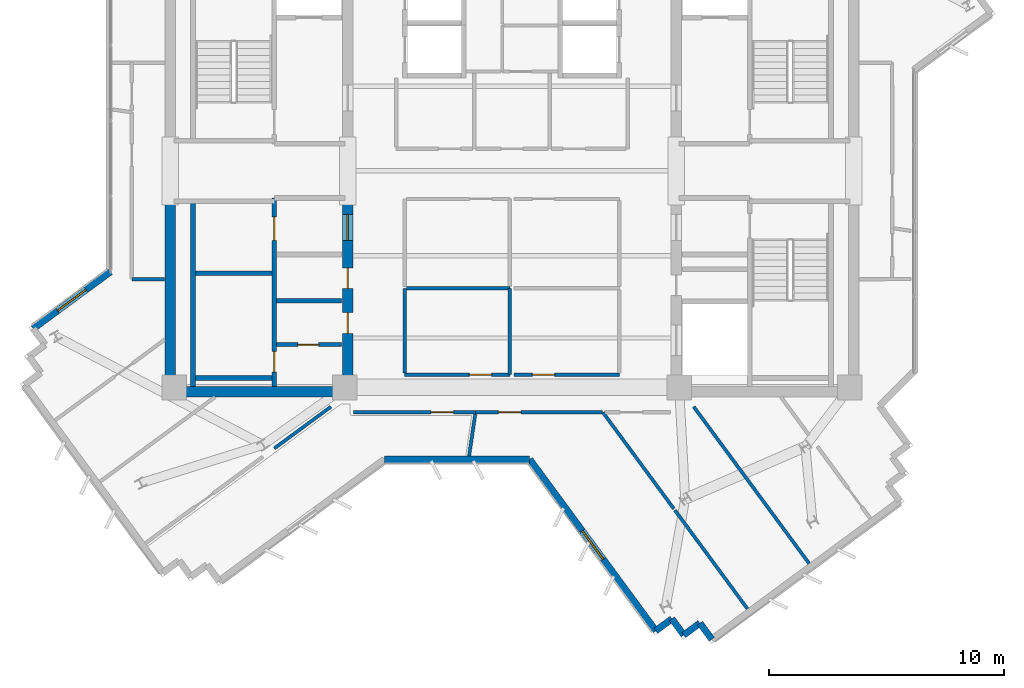
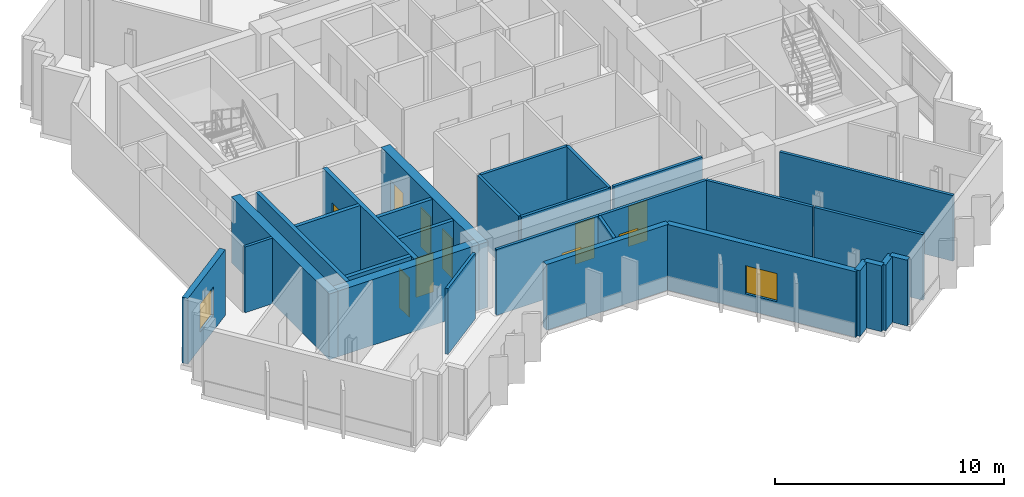
# One storey, part 6 of 13: 29 walls, 10 doors, 2 windows, 12 openings.
"""IFC4 building model written with IfcOpenShell, lengths in metres."""

from ifc_helpers import new_model, si_unit, direction, frame, frame_2d, origin, place, context, subcontext, project, spatial, rectangle, extrude, source, transform, mapped, material, layer, layer_set, type_object, element, fill, save


model = new_model("IFC4")

# Units and contexts
model_context = context("Model", 3, precision=1e-05, world=origin(), true_north=direction((0.0, 1.0)))
body_context = subcontext(model_context, "Body", "Model", "MODEL_VIEW")
ifc_project = project(units=[si_unit("LENGTHUNIT", "METRE"), si_unit("AREAUNIT", "SQUARE_METRE"), si_unit("VOLUMEUNIT", "CUBIC_METRE"), si_unit("PLANEANGLEUNIT", "RADIAN"), si_unit("MASSUNIT", "GRAM", prefix="KILO")], contexts=[model_context])

# Site, building, storey
site_placement = place(None, origin())
site = spatial("IfcSite", under=ifc_project, at=site_placement, CompositionType="ELEMENT")
building_placement = place(site_placement, origin())
building = spatial("IfcBuilding", under=site, at=building_placement, Name="Zahravan Cultural Tower", CompositionType="ELEMENT")
storey_placement = place(building_placement, frame((0.0, 0.0, 276.60009765625)))
storey = spatial("IfcBuildingStorey", under=building, at=storey_placement, Name="L66", CompositionType="ELEMENT", Elevation=276.60009765625)

# Wall, openings, doors
ifc_material_1 = material(Name="Concrete C50/60", Category="concrete")
ifc_layer_1 = layer(ifc_material_1, 0.449951171875)
ifc_layer_set_1 = layer_set([ifc_layer_1], Name="Concrete C50/60")
wall_type_1 = type_object("IfcWallType", Name="CW-SHEAR-450-C50", PredefinedType="SHEAR", material=ifc_layer_set_1)
wall_1_placement = place(storey_placement, frame((29.02490234375, 17.39990234375, 0.0), z_axis=(0.0, 0.0, 1.0), x_axis=(0.0, 1.0, 0.0)))
wall_1 = element("IfcWall", 1, at=wall_1_placement, inside=storey, type_object=wall_type_1, Name="L66 Core Shear Wall CW-W-ES-L66", PredefinedType="SHEAR", context=body_context, shape_type="SweptSolid", body=[
    extrude(rectangle(XDim=8.550048828125, YDim=0.449951171875, at=frame_2d((4.27490234375, 0.0))), origin(), (0.0, 0.0, 1.0), 3.5),
])
opening_1_placement = place(wall_1_placement, frame((6.64990234375, 0.0, 0.0)))
opening_1 = element("IfcOpeningElement", 2, at=opening_1_placement, cuts=wall_1, Name="Opening D-L66-08", PredefinedType="OPENING", context=body_context, shape_type="SweptSolid", body=[
    extrude(rectangle(XDim=1.10009765625, YDim=2.199951171875, at=frame_2d((0.550048828125, 1.10009765625))), frame((0.0, 0.23486328125, 0.0), z_axis=(0.0, -1.0, 0.0), x_axis=(1.0, 0.0, 0.0)), (0.0, 0.0, 1.0), 0.469970703125),
])
opening_2_placement = place(wall_1_placement, frame((2.699951171875, 0.0, 0.0)))
opening_2 = element("IfcOpeningElement", 3, at=opening_2_placement, cuts=wall_1, Name="Opening D-L66-11", PredefinedType="OPENING", context=body_context, shape_type="SweptSolid", body=[
    extrude(rectangle(XDim=0.8798828125, YDim=2.10009765625, at=frame_2d((0.43994140625, 1.050048828125))), frame((0.0, 0.23486328125, 0.0), z_axis=(0.0, -1.0, 0.0), x_axis=(1.0, 0.0, 0.0)), (0.0, 0.0, 1.0), 0.469970703125),
])
opening_3_placement = place(wall_1_placement, frame((4.60009765625, 0.0, 0.0)))
opening_3 = element("IfcOpeningElement", 4, at=opening_3_placement, cuts=wall_1, Name="Opening D-L66-12", PredefinedType="OPENING", context=body_context, shape_type="SweptSolid", body=[
    extrude(rectangle(XDim=0.8798828125, YDim=2.10009765625, at=frame_2d((0.43994140625, 1.050048828125))), frame((0.0, 0.23486328125, 0.0), z_axis=(0.0, -1.0, 0.0), x_axis=(1.0, 0.0, 0.0)), (0.0, 0.0, 1.0), 0.469970703125),
])
ifc_material_2 = material(Name="Steel ASTM A572 Grade 50", Category="steel")
door_type_1 = type_object("IfcDoorType", Name="DR-LOBBY-1100", OperationType="NOTDEFINED", PredefinedType="DOOR", material=ifc_material_2)
shared_shape_1 = source(origin(), body_context, "Body", "SweptSolid", [
    extrude(rectangle(XDim=1.10009765625, YDim=2.199951171875, at=frame_2d((0.550048828125, 1.10009765625))), frame((0.0, 0.02490234375, 0.0), z_axis=(0.0, -1.0, 0.0), x_axis=(1.0, 0.0, 0.0)), (0.0, 0.0, 1.0), 0.050048828125),
])
door_1_placement = place(opening_1_placement, origin())
door_1 = element("IfcDoor", 5, at=door_1_placement, inside=storey, type_object=door_type_1, Name="L66 Door D-L66-08", OperationType="SINGLE_SWING_RIGHT", OverallHeight=2.199951171875, OverallWidth=1.10009765625, PredefinedType="DOOR", context=body_context, shape_type="MappedRepresentation", body=[
    mapped(shared_shape_1, transform((0.0, 0.0, 0.0), x_axis=(1.0, 0.0, 0.0), y_axis=(0.0, 1.0, 0.0), z_axis=(0.0, 0.0, 1.0), scale=1.0)),
])
fill(opening_1, door_1)
door_type_2 = type_object("IfcDoorType", Name="DR-SVC-880", OperationType="NOTDEFINED", PredefinedType="DOOR", material=ifc_material_2)
shared_shape_2 = source(origin(), body_context, "Body", "SweptSolid", [
    extrude(rectangle(XDim=0.8798828125, YDim=2.10009765625, at=frame_2d((0.43994140625, 1.050048828125))), frame((0.0, 0.02490234375, 0.0), z_axis=(0.0, -1.0, 0.0), x_axis=(1.0, 0.0, 0.0)), (0.0, 0.0, 1.0), 0.050048828125),
])
door_2_placement = place(opening_2_placement, origin())
door_2 = element("IfcDoor", 6, at=door_2_placement, inside=storey, type_object=door_type_2, Name="L66 Door D-L66-11", OperationType="SINGLE_SWING_LEFT", OverallHeight=2.10009765625, OverallWidth=0.8798828125, PredefinedType="DOOR", context=body_context, shape_type="MappedRepresentation", body=[
    mapped(shared_shape_2, transform((0.0, 0.0, 0.0), x_axis=(1.0, 0.0, 0.0), y_axis=(0.0, 1.0, 0.0), z_axis=(0.0, 0.0, 1.0), scale=1.0)),
])
fill(opening_2, door_2)
door_3_placement = place(opening_3_placement, origin())
door_3 = element("IfcDoor", 7, at=door_3_placement, inside=storey, type_object=door_type_2, Name="L66 Door D-L66-12", OperationType="SINGLE_SWING_RIGHT", OverallHeight=2.10009765625, OverallWidth=0.8798828125, PredefinedType="DOOR", context=body_context, shape_type="MappedRepresentation", body=[
    mapped(shared_shape_2, transform((0.0, 0.0, 0.0), x_axis=(1.0, 0.0, 0.0), y_axis=(0.0, 1.0, 0.0), z_axis=(0.0, 0.0, 1.0), scale=1.0)),
])
fill(opening_3, door_3)

# Wall, opening, window
ifc_material_3 = material(Name="Precast concrete C40/50", Category="concrete")
ifc_layer_2 = layer(ifc_material_3, 0.280029296875)
ifc_layer_set_2 = layer_set([ifc_layer_2], Name="Precast concrete C40/50")
wall_type_2 = type_object("IfcWallType", Name="EW-TC-280", PredefinedType="SOLIDWALL", material=ifc_layer_set_2)
wall_2_placement = place(storey_placement, frame((42.111083984375, 7.459716796875, 0.0), z_axis=(0.0, 0.0, 1.0), x_axis=(-0.592715239748, 0.805412096117, 0.0)))
wall_2 = element("IfcWall", 8, at=wall_2_placement, inside=storey, type_object=wall_type_2, Name="L66 Exterior Masonry Frame Wall 23", PredefinedType="SOLIDWALL", context=body_context, shape_type="SweptSolid", body=[
    extrude(rectangle(XDim=9.039306640625, YDim=0.280029296875, at=frame_2d((4.51953125, 0.0))), origin(), (0.0, 0.0, 1.0), 3.5),
])
opening_4_placement = place(wall_2_placement, frame((3.77001953125, 0.0, 0.85009765625)))
opening_4 = element("IfcOpeningElement", 9, at=opening_4_placement, cuts=wall_2, Name="Opening WN-03", PredefinedType="OPENING", context=body_context, shape_type="SweptSolid", body=[
    extrude(rectangle(XDim=1.5, YDim=1.5, at=frame_2d((0.75, 0.75))), frame((0.0, 0.14990234375, 0.0), z_axis=(0.0, -1.0, 0.0), x_axis=(1.0, 0.0, 0.0)), (0.0, 0.0, 1.0), 0.300048828125),
])
ifc_material_4 = material(Name="Low-E solar-control double glazing", Category="glass")
window_type = type_object("IfcWindowType", Name="WN-REC-1500X1500", PartitioningType="SINGLE_PANEL", PredefinedType="WINDOW", material=ifc_material_4)
shared_shape_3 = source(origin(), body_context, "Body", "SweptSolid", [
    extrude(rectangle(XDim=1.5, YDim=1.5, at=frame_2d((0.75, 0.75))), frame((0.0, 0.030029296875, 0.0), z_axis=(0.0, -1.0, 0.0), x_axis=(1.0, 0.0, 0.0)), (0.0, 0.0, 1.0), 0.06005859375),
])
window_1_placement = place(opening_4_placement, origin())
window_1 = element("IfcWindow", 10, at=window_1_placement, inside=storey, type_object=window_type, Name="L66 Recessed Solar Window 03", OverallHeight=1.5, OverallWidth=1.5, PartitioningType="SINGLE_PANEL", PredefinedType="WINDOW", context=body_context, shape_type="MappedRepresentation", body=[
    mapped(shared_shape_3, transform((0.0, 0.0, 0.0), x_axis=(1.0, 0.0, 0.0), y_axis=(0.0, 1.0, 0.0), z_axis=(0.0, 0.0, 1.0), scale=1.0)),
])
fill(opening_4, window_1)

wall_3_placement = place(storey_placement, frame((15.654296875, 20.29638671875, 0.0), z_axis=(0.0, 0.0, 1.0), x_axis=(0.805410687764, 0.592717153486, 0.0)))
wall_3 = element("IfcWall", 11, at=wall_3_placement, inside=storey, type_object=wall_type_2, Name="L66 Exterior Masonry Frame Wall 35", PredefinedType="SOLIDWALL", context=body_context, shape_type="SweptSolid", body=[
    extrude(rectangle(XDim=4.079345703125, YDim=0.280029296875, at=frame_2d((2.03955078125, 0.0))), origin(), (0.0, 0.0, 1.0), 3.5),
])
opening_5_placement = place(wall_3_placement, frame((1.2900390625, 0.0, 0.85009765625)))
opening_5 = element("IfcOpeningElement", 12, at=opening_5_placement, cuts=wall_3, Name="Opening WN-03", PredefinedType="OPENING", context=body_context, shape_type="SweptSolid", body=[
    extrude(rectangle(XDim=1.5, YDim=1.5, at=frame_2d((0.75, 0.75))), frame((0.0, 0.14990234375, 0.0), z_axis=(0.0, -1.0, 0.0), x_axis=(1.0, 0.0, 0.0)), (0.0, 0.0, 1.0), 0.300048828125),
])
window_2_placement = place(opening_5_placement, origin())
window_2 = element("IfcWindow", 13, at=window_2_placement, inside=storey, type_object=window_type, Name="L66 Recessed Solar Window 05", OverallHeight=1.5, OverallWidth=1.5, PartitioningType="SINGLE_PANEL", PredefinedType="WINDOW", context=body_context, shape_type="MappedRepresentation", body=[
    mapped(shared_shape_3, transform((0.0, 0.0, 0.0), x_axis=(1.0, 0.0, 0.0), y_axis=(0.0, 1.0, 0.0), z_axis=(0.0, 0.0, 1.0), scale=1.0)),
])
fill(opening_5, window_2)

# Wall, opening, door
ifc_material_5 = material(Name="Gypsum plasterboard partition")
ifc_layer_3 = layer(ifc_material_5, 0.179931640625)
ifc_layer_set_3 = layer_set([ifc_layer_3], Name="Gypsum plasterboard partition")
wall_type_3 = type_object("IfcWallType", Name="W-COMP-180", PredefinedType="PARTITIONING", material=ifc_layer_set_3)
wall_4_placement = place(storey_placement, frame((26.0, 19.6201171875, 0.0), z_axis=(0.0, 0.0, 1.0), x_axis=(1.0, 0.0, 0.0)))
wall_4 = element("IfcWall", 14, at=wall_4_placement, inside=storey, type_object=wall_type_3, Name="L66 Interior Wall 027", PredefinedType="PARTITIONING", context=body_context, shape_type="SweptSolid", body=[
    extrude(rectangle(XDim=2.75, YDim=0.179931640625, at=frame_2d((1.375, 0.0))), origin(), (0.0, 0.0, 1.0), 3.5),
])
opening_6_placement = place(wall_4_placement, frame((0.89990234375, 0.0, 0.0)))
opening_6 = element("IfcOpeningElement", 15, at=opening_6_placement, cuts=wall_4, Name="Opening D-L66-10", PredefinedType="OPENING", context=body_context, shape_type="SweptSolid", body=[
    extrude(rectangle(XDim=0.8798828125, YDim=2.10009765625, at=frame_2d((0.43994140625, 1.050048828125))), frame((0.0, 0.099853515625, 0.0), z_axis=(0.0, -1.0, 0.0), x_axis=(1.0, 0.0, 0.0)), (0.0, 0.0, 1.0), 0.199951171875),
])
door_4_placement = place(opening_6_placement, origin())
door_4 = element("IfcDoor", 16, at=door_4_placement, inside=storey, type_object=door_type_2, Name="L66 Door D-L66-10", OperationType="SINGLE_SWING_RIGHT", OverallHeight=2.10009765625, OverallWidth=0.8798828125, PredefinedType="DOOR", context=body_context, shape_type="MappedRepresentation", body=[
    mapped(shared_shape_2, transform((0.0, 0.0, 0.0), x_axis=(1.0, 0.0, 0.0), y_axis=(0.0, 1.0, 0.0), z_axis=(0.0, 0.0, 1.0), scale=1.0)),
])
fill(opening_6, door_4)

ifc_layer_4 = layer(ifc_material_5, 0.139892578125)
ifc_layer_set_4 = layer_set([ifc_layer_4], Name="Gypsum plasterboard partition")
wall_type_4 = type_object("IfcWallType", Name="W-PART-140", PredefinedType="PARTITIONING", material=ifc_layer_set_4)
wall_5_placement = place(storey_placement, frame((35.909912109375, 18.340087890625, 0.0), z_axis=(0.0, 0.0, 1.0), x_axis=(-1.0, 0.0, 0.0)))
wall_5 = element("IfcWall", 17, at=wall_5_placement, inside=storey, type_object=wall_type_4, Name="L66 Interior Wall 058", PredefinedType="PARTITIONING", context=body_context, shape_type="SweptSolid", body=[
    extrude(rectangle(XDim=4.469970703125, YDim=0.139892578125, at=frame_2d((2.23486328125, 0.0))), origin(), (0.0, 0.0, 1.0), 3.5),
])
opening_7_placement = place(wall_5_placement, frame((0.7744140625, 0.0, 0.0)))
opening_7 = element("IfcOpeningElement", 18, at=opening_7_placement, cuts=wall_5, Name="Opening D-L66-14", PredefinedType="OPENING", context=body_context, shape_type="SweptSolid", body=[
    extrude(rectangle(XDim=0.949951171875, YDim=2.14990234375, at=frame_2d((0.47509765625, 1.074951171875))), frame((0.0, 0.079833984375, 0.0), z_axis=(0.0, -1.0, 0.0), x_axis=(1.0, 0.0, 0.0)), (0.0, 0.0, 1.0), 0.159912109375),
])
ifc_material_6 = material(Name="Anodised bronze-aluminium mullion", Category="aluminium")
door_type_3 = type_object("IfcDoorType", Name="DR-ROOM-950", OperationType="NOTDEFINED", PredefinedType="DOOR", material=ifc_material_6)
shared_shape_4 = source(origin(), body_context, "Body", "SweptSolid", [
    extrude(rectangle(XDim=0.949951171875, YDim=2.14990234375, at=frame_2d((0.47509765625, 1.074951171875))), frame((0.0, 0.02490234375, 0.0), z_axis=(0.0, -1.0, 0.0), x_axis=(1.0, 0.0, 0.0)), (0.0, 0.0, 1.0), 0.050048828125),
])
door_5_placement = place(opening_7_placement, origin())
door_5 = element("IfcDoor", 19, at=door_5_placement, inside=storey, type_object=door_type_3, Name="L66 Door D-L66-14", OperationType="SINGLE_SWING_RIGHT", OverallHeight=2.14990234375, OverallWidth=0.949951171875, PredefinedType="DOOR", context=body_context, shape_type="MappedRepresentation", body=[
    mapped(shared_shape_4, transform((0.0, 0.0, 0.0), x_axis=(1.0, 0.0, 0.0), y_axis=(0.0, 1.0, 0.0), z_axis=(0.0, 0.0, 1.0), scale=1.0)),
])
fill(opening_7, door_5)

wall_6_placement = place(storey_placement, frame((40.56005859375, 18.340087890625, 0.0), z_axis=(0.0, 0.0, 1.0), x_axis=(-1.0, 0.0, 0.0)))
wall_6 = element("IfcWall", 20, at=wall_6_placement, inside=storey, type_object=wall_type_4, Name="L66 Interior Wall 062", PredefinedType="PARTITIONING", context=body_context, shape_type="SweptSolid", body=[
    extrude(rectangle(XDim=4.469970703125, YDim=0.139892578125, at=frame_2d((2.23486328125, 0.0))), origin(), (0.0, 0.0, 1.0), 3.5),
])
opening_8_placement = place(wall_6_placement, frame((2.74560546875, 0.0, 0.0)))
opening_8 = element("IfcOpeningElement", 21, at=opening_8_placement, cuts=wall_6, Name="Opening D-L66-16", PredefinedType="OPENING", context=body_context, shape_type="SweptSolid", body=[
    extrude(rectangle(XDim=0.949951171875, YDim=2.14990234375, at=frame_2d((0.47509765625, 1.074951171875))), frame((0.0, 0.079833984375, 0.0), z_axis=(0.0, -1.0, 0.0), x_axis=(1.0, 0.0, 0.0)), (0.0, 0.0, 1.0), 0.159912109375),
])
door_6_placement = place(opening_8_placement, origin())
door_6 = element("IfcDoor", 22, at=door_6_placement, inside=storey, type_object=door_type_3, Name="L66 Door D-L66-16", OperationType="SINGLE_SWING_RIGHT", OverallHeight=2.14990234375, OverallWidth=0.949951171875, PredefinedType="DOOR", context=body_context, shape_type="MappedRepresentation", body=[
    mapped(shared_shape_4, transform((0.0, 0.0, 0.0), x_axis=(1.0, 0.0, 0.0), y_axis=(0.0, 1.0, 0.0), z_axis=(0.0, 0.0, 1.0), scale=1.0)),
])
fill(opening_8, door_6)

wall_7_placement = place(storey_placement, frame((29.257568359375, 16.740234375, 0.0), z_axis=(0.0, 0.0, 1.0), x_axis=(0.999999998895, -4.7021207e-05, 0.0)))
wall_7 = element("IfcWall", 23, at=wall_7_placement, inside=storey, type_object=wall_type_4, Name="L66 Interior Wall 088", PredefinedType="PARTITIONING", context=body_context, shape_type="SweptSolid", body=[
    extrude(rectangle(XDim=5.192138671875, YDim=0.139892578125, at=frame_2d((2.59619140625, 0.0))), origin(), (0.0, 0.0, 1.0), 3.5),
])
opening_9_placement = place(wall_7_placement, frame((3.308837890625, 0.0, 0.0)))
opening_9 = element("IfcOpeningElement", 24, at=opening_9_placement, cuts=wall_7, Name="Opening D-L66-28", PredefinedType="OPENING", context=body_context, shape_type="SweptSolid", body=[
    extrude(rectangle(XDim=0.949951171875, YDim=2.14990234375, at=frame_2d((0.47509765625, 1.074951171875))), frame((0.0, 0.079833984375, 0.0), z_axis=(0.0, -1.0, 0.0), x_axis=(1.0, 0.0, 0.0)), (0.0, 0.0, 1.0), 0.159912109375),
])
door_7_placement = place(opening_9_placement, origin())
door_7 = element("IfcDoor", 25, at=door_7_placement, inside=storey, type_object=door_type_3, Name="L66 Door D-L66-28", OperationType="SINGLE_SWING_RIGHT", OverallHeight=2.14990234375, OverallWidth=0.949951171875, PredefinedType="DOOR", context=body_context, shape_type="MappedRepresentation", body=[
    mapped(shared_shape_4, transform((0.0, 0.0, 0.0), x_axis=(1.0, 0.0, 0.0), y_axis=(0.0, 1.0, 0.0), z_axis=(0.0, 0.0, 1.0), scale=1.0)),
])
fill(opening_9, door_7)

wall_8_placement = place(storey_placement, frame((34.44970703125, 16.739990234375, 0.0), z_axis=(0.0, 0.0, 1.0), x_axis=(1.0, 0.0, 0.0)))
wall_8 = element("IfcWall", 26, at=wall_8_placement, inside=storey, type_object=wall_type_4, Name="L66 Interior Wall 090", PredefinedType="PARTITIONING", context=body_context, shape_type="SweptSolid", body=[
    extrude(rectangle(XDim=5.388427734375, YDim=0.139892578125, at=frame_2d((2.6943359375, 0.0))), origin(), (0.0, 0.0, 1.0), 3.5),
])
opening_10_placement = place(wall_8_placement, frame((0.976318359375, 0.0, 0.0)))
opening_10 = element("IfcOpeningElement", 27, at=opening_10_placement, cuts=wall_8, Name="Opening D-L66-29", PredefinedType="OPENING", context=body_context, shape_type="SweptSolid", body=[
    extrude(rectangle(XDim=0.949951171875, YDim=2.14990234375, at=frame_2d((0.47509765625, 1.074951171875))), frame((0.0, 0.079833984375, 0.0), z_axis=(0.0, -1.0, 0.0), x_axis=(1.0, 0.0, 0.0)), (0.0, 0.0, 1.0), 0.159912109375),
])
door_8_placement = place(opening_10_placement, origin())
door_8 = element("IfcDoor", 28, at=door_8_placement, inside=storey, type_object=door_type_3, Name="L66 Door D-L66-29", OperationType="SINGLE_SWING_LEFT", OverallHeight=2.14990234375, OverallWidth=0.949951171875, PredefinedType="DOOR", context=body_context, shape_type="MappedRepresentation", body=[
    mapped(shared_shape_4, transform((0.0, 0.0, 0.0), x_axis=(1.0, 0.0, 0.0), y_axis=(0.0, 1.0, 0.0), z_axis=(0.0, 0.0, 1.0), scale=1.0)),
])
fill(opening_10, door_8)

# Wall, openings, doors
ifc_material_7 = material(Name="Concrete C45/55", Category="concrete")
ifc_layer_5 = layer(ifc_material_7, 0.199951171875)
ifc_layer_set_5 = layer_set([ifc_layer_5], Name="Concrete C45/55")
wall_type_5 = type_object("IfcWallType", Name="W-SHAFT-200", PredefinedType="SOLIDWALL", material=ifc_layer_set_5)
wall_9_placement = place(storey_placement, frame((25.89990234375, 17.85009765625, 0.0), z_axis=(0.0, 0.0, 1.0), x_axis=(0.0, 1.0, 0.0)))
wall_9 = element("IfcWall", 29, at=wall_9_placement, inside=storey, type_object=wall_type_5, Name="L66 Interior Wall 005", PredefinedType="SOLIDWALL", context=body_context, shape_type="SweptSolid", body=[
    extrude(rectangle(XDim=8.0, YDim=0.199951171875, at=frame_2d((4.0, 0.0))), origin(), (0.0, 0.0, 1.0), 3.5),
])
opening_11_placement = place(wall_9_placement, frame((6.199951171875, 0.0, 0.0)))
opening_11 = element("IfcOpeningElement", 30, at=opening_11_placement, cuts=wall_9, Name="Opening D-L66-04", PredefinedType="OPENING", context=body_context, shape_type="SweptSolid", body=[
    extrude(rectangle(XDim=1.0, YDim=2.14990234375, at=frame_2d((0.5, 1.074951171875))), frame((0.0, 0.10986328125, 0.0), z_axis=(0.0, -1.0, 0.0), x_axis=(1.0, 0.0, 0.0)), (0.0, 0.0, 1.0), 0.219970703125),
])
opening_12_placement = place(wall_9_placement, frame((0.60009765625, 0.0, 0.0)))
opening_12 = element("IfcOpeningElement", 31, at=opening_12_placement, cuts=wall_9, Name="Opening D-L66-05", PredefinedType="OPENING", context=body_context, shape_type="SweptSolid", body=[
    extrude(rectangle(XDim=0.8798828125, YDim=2.10009765625, at=frame_2d((0.43994140625, 1.050048828125))), frame((0.0, 0.10986328125, 0.0), z_axis=(0.0, -1.0, 0.0), x_axis=(1.0, 0.0, 0.0)), (0.0, 0.0, 1.0), 0.219970703125),
])
door_9_placement = place(opening_12_placement, origin())
door_9 = element("IfcDoor", 32, at=door_9_placement, inside=storey, type_object=door_type_2, Name="L66 Door D-L66-05", OperationType="SINGLE_SWING_LEFT", OverallHeight=2.10009765625, OverallWidth=0.8798828125, PredefinedType="DOOR", context=body_context, shape_type="MappedRepresentation", body=[
    mapped(shared_shape_2, transform((0.0, 0.0, 0.0), x_axis=(1.0, 0.0, 0.0), y_axis=(0.0, 1.0, 0.0), z_axis=(0.0, 0.0, 1.0), scale=1.0)),
])
fill(opening_12, door_9)
door_type_4 = type_object("IfcDoorType", Name="DR-COMP-1000", OperationType="NOTDEFINED", PredefinedType="DOOR", material=ifc_material_2)
shared_shape_5 = source(origin(), body_context, "Body", "SweptSolid", [
    extrude(rectangle(XDim=1.0, YDim=2.14990234375, at=frame_2d((0.5, 1.074951171875))), frame((0.0, 0.02490234375, 0.0), z_axis=(0.0, -1.0, 0.0), x_axis=(1.0, 0.0, 0.0)), (0.0, 0.0, 1.0), 0.050048828125),
])
door_10_placement = place(opening_11_placement, origin())
door_10 = element("IfcDoor", 33, at=door_10_placement, inside=storey, type_object=door_type_4, Name="L66 Door D-L66-04", OperationType="SINGLE_SWING_RIGHT", OverallHeight=2.14990234375, OverallWidth=1.0, PredefinedType="DOOR", context=body_context, shape_type="MappedRepresentation", body=[
    mapped(shared_shape_5, transform((0.0, 0.0, 0.0), x_axis=(1.0, 0.0, 0.0), y_axis=(0.0, 1.0, 0.0), z_axis=(0.0, 0.0, 1.0), scale=1.0)),
])
fill(opening_11, door_10)

# Walls
shared_shape_6 = source(origin(), body_context, "Body", "SweptSolid", [
    extrude(rectangle(XDim=8.550048828125, YDim=0.449951171875, at=frame_2d((4.27490234375, 0.0))), origin(), (0.0, 0.0, 1.0), 3.5),
])
wall_10_placement = place(storey_placement, frame((21.47509765625, 17.39990234375, 0.0), z_axis=(0.0, 0.0, 1.0), x_axis=(0.0, 1.0, 0.0)))
element("IfcWall", 34, at=wall_10_placement, inside=storey, type_object=wall_type_1, Name="L66 Core Shear Wall CW-W-WS-L66", PredefinedType="SHEAR", context=body_context, shape_type="MappedRepresentation", body=[
    mapped(shared_shape_6, transform((0.0, 0.0, 0.0), x_axis=(1.0, 0.0, 0.0), y_axis=(0.0, 1.0, 0.0), z_axis=(0.0, 0.0, 1.0), scale=1.0)),
])
shared_shape_7 = source(origin(), body_context, "Body", "SweptSolid", [
    extrude(rectangle(XDim=7.10009765625, YDim=0.449951171875, at=frame_2d((3.550048828125, 0.0))), origin(), (0.0, 0.0, 1.0), 3.5),
])
wall_11_placement = place(storey_placement, frame((21.699951171875, 17.625, 0.0), z_axis=(0.0, 0.0, 1.0), x_axis=(1.0, 0.0, 0.0)))
element("IfcWall", 35, at=wall_11_placement, inside=storey, type_object=wall_type_1, Name="L66 Core Shear Wall CW-W-S-L66", PredefinedType="SHEAR", context=body_context, shape_type="MappedRepresentation", body=[
    mapped(shared_shape_7, transform((0.0, 0.0, 0.0), x_axis=(1.0, 0.0, 0.0), y_axis=(0.0, 1.0, 0.0), z_axis=(0.0, 0.0, 1.0), scale=1.0)),
])
shared_shape_8 = source(origin(), body_context, "Body", "SweptSolid", [
    extrude(rectangle(XDim=0.85009765625, YDim=0.280029296875, at=frame_2d((0.425048828125, 0.0))), origin(), (0.0, 0.0, 1.0), 3.5),
])
for number, where, z_axis, x_axis, name in (
    (36, (44.48779296875, 7.09814453125, 0.0), (0.0, 0.0, 1.0), (-0.592807079659, 0.80534450163, 0.0), "L66 Exterior Masonry Frame Wall 19"),
    (37, (43.98388671875, 7.78271484375, 0.0), (0.0, 0.0, 1.0), (-0.80534450163, -0.592807079659, 0.0), "L66 Exterior Masonry Frame Wall 20"),
):
    element("IfcWall", number, at=place(storey_placement, frame(where, z_axis=z_axis, x_axis=x_axis)), inside=storey, type_object=wall_type_2, Name=name, PredefinedType="SOLIDWALL", context=body_context, shape_type="MappedRepresentation", body=[
        mapped(shared_shape_8, transform((0.0, 0.0, 0.0), x_axis=(1.0, 0.0, 0.0), y_axis=(0.0, 1.0, 0.0), z_axis=(0.0, 0.0, 1.0), scale=1.0)),
    ])
shared_shape_9 = source(origin(), body_context, "Body", "SweptSolid", [
    extrude(rectangle(XDim=0.849853515625, YDim=0.280029296875, at=frame_2d((0.4248046875, 0.0))), origin(), (0.0, 0.0, 1.0), 3.5),
])
for number, where, z_axis, x_axis, name in (
    (38, (43.29931640625, 7.27880859375, 0.0), (0.0, 0.0, 1.0), (-0.592620751712, 0.805481622783, 0.0), "L66 Exterior Masonry Frame Wall 21"),
    (39, (42.795654296875, 7.96337890625, 0.0), (0.0, 0.0, 1.0), (-0.805481622783, -0.592620751712, 0.0), "L66 Exterior Masonry Frame Wall 22"),
):
    element("IfcWall", number, at=place(storey_placement, frame(where, z_axis=z_axis, x_axis=x_axis)), inside=storey, type_object=wall_type_2, Name=name, PredefinedType="SOLIDWALL", context=body_context, shape_type="MappedRepresentation", body=[
        mapped(shared_shape_9, transform((0.0, 0.0, 0.0), x_axis=(1.0, 0.0, 0.0), y_axis=(0.0, 1.0, 0.0), z_axis=(0.0, 0.0, 1.0), scale=1.0)),
    ])
shared_shape_10 = source(origin(), body_context, "Body", "SweptSolid", [
    extrude(rectangle(XDim=6.176513671875, YDim=0.280029296875, at=frame_2d((3.08837890625, 0.0))), origin(), (0.0, 0.0, 1.0), 3.5),
])
wall_12_placement = place(storey_placement, frame((36.75341796875, 14.739990234375, 0.0), z_axis=(0.0, 0.0, 1.0), x_axis=(-1.0, 0.0, 0.0)))
element("IfcWall", 40, at=wall_12_placement, inside=storey, type_object=wall_type_2, Name="L66 Exterior Masonry Frame Wall 24", PredefinedType="SOLIDWALL", context=body_context, shape_type="MappedRepresentation", body=[
    mapped(shared_shape_10, transform((0.0, 0.0, 0.0), x_axis=(1.0, 0.0, 0.0), y_axis=(0.0, 1.0, 0.0), z_axis=(0.0, 0.0, 1.0), scale=1.0)),
])
shared_shape_11 = source(origin(), body_context, "Body", "SweptSolid", [
    extrude(rectangle(XDim=7.869873046875, YDim=0.199951171875, at=frame_2d((3.93505859375, 0.0))), origin(), (0.0, 0.0, 1.0), 3.5),
])
wall_13_placement = place(storey_placement, frame((22.449951171875, 17.85009765625, 0.0), z_axis=(0.0, 0.0, 1.0), x_axis=(0.0, 1.0, 0.0)))
element("IfcWall", 41, at=wall_13_placement, inside=storey, type_object=wall_type_5, Name="L66 Interior Wall 001", PredefinedType="SOLIDWALL", context=body_context, shape_type="MappedRepresentation", body=[
    mapped(shared_shape_11, transform((0.0, 0.0, 0.0), x_axis=(1.0, 0.0, 0.0), y_axis=(0.0, 1.0, 0.0), z_axis=(0.0, 0.0, 1.0), scale=1.0)),
])
shared_shape_12 = source(origin(), body_context, "Body", "SweptSolid", [
    extrude(rectangle(XDim=3.25, YDim=0.199951171875, at=frame_2d((1.625, 0.0))), origin(), (0.0, 0.0, 1.0), 3.5),
])
wall_14_placement = place(storey_placement, frame((22.550048828125, 18.199951171875, 0.0), z_axis=(0.0, 0.0, 1.0), x_axis=(1.0, 0.0, 0.0)))
element("IfcWall", 42, at=wall_14_placement, inside=storey, type_object=wall_type_5, Name="L66 Interior Wall 019", PredefinedType="SOLIDWALL", context=body_context, shape_type="MappedRepresentation", body=[
    mapped(shared_shape_12, transform((0.0, 0.0, 0.0), x_axis=(1.0, 0.0, 0.0), y_axis=(0.0, 1.0, 0.0), z_axis=(0.0, 0.0, 1.0), scale=1.0)),
])
shared_shape_13 = source(origin(), body_context, "Body", "SweptSolid", [
    extrude(rectangle(XDim=3.25, YDim=0.179931640625, at=frame_2d((1.625, 0.0))), origin(), (0.0, 0.0, 1.0), 3.5),
])
wall_15_placement = place(storey_placement, frame((22.550048828125, 22.64990234375, 0.0), z_axis=(0.0, 0.0, 1.0), x_axis=(1.0, 0.0, 0.0)))
element("IfcWall", 43, at=wall_15_placement, inside=storey, type_object=wall_type_3, Name="L66 Interior Wall 021", PredefinedType="PARTITIONING", context=body_context, shape_type="MappedRepresentation", body=[
    mapped(shared_shape_13, transform((0.0, 0.0, 0.0), x_axis=(1.0, 0.0, 0.0), y_axis=(0.0, 1.0, 0.0), z_axis=(0.0, 0.0, 1.0), scale=1.0)),
])
shared_shape_14 = source(origin(), body_context, "Body", "SweptSolid", [
    extrude(rectangle(XDim=2.75, YDim=0.179931640625, at=frame_2d((1.375, 0.0))), origin(), (0.0, 0.0, 1.0), 3.5),
])
wall_16_placement = place(storey_placement, frame((26.0, 21.47998046875, 0.0), z_axis=(0.0, 0.0, 1.0), x_axis=(1.0, 0.0, 0.0)))
element("IfcWall", 44, at=wall_16_placement, inside=storey, type_object=wall_type_3, Name="L66 Interior Wall 028", PredefinedType="PARTITIONING", context=body_context, shape_type="MappedRepresentation", body=[
    mapped(shared_shape_14, transform((0.0, 0.0, 0.0), x_axis=(1.0, 0.0, 0.0), y_axis=(0.0, 1.0, 0.0), z_axis=(0.0, 0.0, 1.0), scale=1.0)),
])
shared_shape_15 = source(origin(), body_context, "Body", "SweptSolid", [
    extrude(rectangle(XDim=1.38916015625, YDim=0.139892578125, at=frame_2d((0.694580078125, 0.0))), origin(), (0.0, 0.0, 1.0), 3.5),
])
wall_17_placement = place(storey_placement, frame((19.85595703125, 22.39990234375, 0.0), z_axis=(0.0, 0.0, 1.0), x_axis=(1.0, 0.0, 0.0)))
element("IfcWall", 45, at=wall_17_placement, inside=storey, type_object=wall_type_4, Name="L66 Interior Wall 082", PredefinedType="PARTITIONING", context=body_context, shape_type="MappedRepresentation", body=[
    mapped(shared_shape_15, transform((0.0, 0.0, 0.0), x_axis=(1.0, 0.0, 0.0), y_axis=(0.0, 1.0, 0.0), z_axis=(0.0, 0.0, 1.0), scale=1.0)),
])
shared_shape_16 = source(origin(), body_context, "Body", "SweptSolid", [
    extrude(rectangle(XDim=3.594970703125, YDim=0.139892578125, at=frame_2d((1.79736328125, 0.0))), origin(), (0.0, 0.0, 1.0), 3.5),
])
wall_18_placement = place(storey_placement, frame((31.43994140625, 18.4150390625, 0.0), z_axis=(0.0, 0.0, 1.0), x_axis=(0.0, 1.0, 0.0)))
element("IfcWall", 46, at=wall_18_placement, inside=storey, type_object=wall_type_4, Name="L66 Interior Wall 059", PredefinedType="PARTITIONING", context=body_context, shape_type="MappedRepresentation", body=[
    mapped(shared_shape_16, transform((0.0, 0.0, 0.0), x_axis=(1.0, 0.0, 0.0), y_axis=(0.0, 1.0, 0.0), z_axis=(0.0, 0.0, 1.0), scale=1.0)),
])
shared_shape_17 = source(origin(), body_context, "Body", "SweptSolid", [
    extrude(rectangle(XDim=4.39501953125, YDim=0.139892578125, at=frame_2d((2.197509765625, 0.0))), origin(), (0.0, 0.0, 1.0), 3.5),
])
wall_19_placement = place(storey_placement, frame((31.514892578125, 22.010009765625, 0.0), z_axis=(0.0, 0.0, 1.0), x_axis=(1.0, 0.0, 0.0)))
element("IfcWall", 47, at=wall_19_placement, inside=storey, type_object=wall_type_4, Name="L66 Interior Wall 060", PredefinedType="PARTITIONING", context=body_context, shape_type="MappedRepresentation", body=[
    mapped(shared_shape_17, transform((0.0, 0.0, 0.0), x_axis=(1.0, 0.0, 0.0), y_axis=(0.0, 1.0, 0.0), z_axis=(0.0, 0.0, 1.0), scale=1.0)),
])
shared_shape_18 = source(origin(), body_context, "Body", "SweptSolid", [
    extrude(rectangle(XDim=3.669921875, YDim=0.139892578125, at=frame_2d((1.8349609375, 0.0))), origin(), (0.0, 0.0, 1.0), 3.5),
])
wall_20_placement = place(storey_placement, frame((35.909912109375, 22.010009765625, 0.0), z_axis=(0.0, 0.0, 1.0), x_axis=(0.0, -1.0, 0.0)))
element("IfcWall", 48, at=wall_20_placement, inside=storey, type_object=wall_type_4, Name="L66 Interior Wall 061", PredefinedType="PARTITIONING", context=body_context, shape_type="MappedRepresentation", body=[
    mapped(shared_shape_18, transform((0.0, 0.0, 0.0), x_axis=(1.0, 0.0, 0.0), y_axis=(0.0, 1.0, 0.0), z_axis=(0.0, 0.0, 1.0), scale=1.0)),
])
shared_shape_19 = source(origin(), body_context, "Body", "SweptSolid", [
    extrude(rectangle(XDim=8.26806640625, YDim=0.139892578125, at=frame_2d((4.134033203125, 0.0))), origin(), (0.0, 0.0, 1.0), 3.5),
])
wall_21_placement = place(storey_placement, frame((48.622314453125, 10.32080078125, 0.0), z_axis=(0.0, 0.0, 1.0), x_axis=(-0.592718477136, 0.805409713663, 0.0)))
element("IfcWall", 49, at=wall_21_placement, inside=storey, type_object=wall_type_4, Name="L66 Interior Wall 072", PredefinedType="PARTITIONING", context=body_context, shape_type="MappedRepresentation", body=[
    mapped(shared_shape_19, transform((0.0, 0.0, 0.0), x_axis=(1.0, 0.0, 0.0), y_axis=(0.0, 1.0, 0.0), z_axis=(0.0, 0.0, 1.0), scale=1.0)),
])
shared_shape_20 = source(origin(), body_context, "Body", "SweptSolid", [
    extrude(rectangle(XDim=5.200439453125, YDim=0.139892578125, at=frame_2d((2.60009765625, 0.0))), origin(), (0.0, 0.0, 1.0), 3.5),
])
wall_22_placement = place(storey_placement, frame((46.004638671875, 8.394287109375, 0.0), z_axis=(0.0, 0.0, 1.0), x_axis=(-0.592704087561, 0.805420303065, 0.0)))
element("IfcWall", 50, at=wall_22_placement, inside=storey, type_object=wall_type_4, Name="L66 Interior Wall 085", PredefinedType="PARTITIONING", context=body_context, shape_type="MappedRepresentation", body=[
    mapped(shared_shape_20, transform((0.0, 0.0, 0.0), x_axis=(1.0, 0.0, 0.0), y_axis=(0.0, 1.0, 0.0), z_axis=(0.0, 0.0, 1.0), scale=1.0)),
])
shared_shape_21 = source(origin(), body_context, "Body", "SweptSolid", [
    extrude(rectangle(XDim=5.085693359375, YDim=0.139892578125, at=frame_2d((2.54296875, 0.0))), origin(), (0.0, 0.0, 1.0), 3.5),
])
wall_23_placement = place(storey_placement, frame((42.877197265625, 12.643798828125, 0.0), z_axis=(0.0, 0.0, 1.0), x_axis=(-0.592678177251, 0.805439369668, 0.0)))
element("IfcWall", 51, at=wall_23_placement, inside=storey, type_object=wall_type_4, Name="L66 Interior Wall 086", PredefinedType="PARTITIONING", context=body_context, shape_type="MappedRepresentation", body=[
    mapped(shared_shape_21, transform((0.0, 0.0, 0.0), x_axis=(1.0, 0.0, 0.0), y_axis=(0.0, 1.0, 0.0), z_axis=(0.0, 0.0, 1.0), scale=1.0)),
])
shared_shape_22 = source(origin(), body_context, "Body", "SweptSolid", [
    extrude(rectangle(XDim=1.79931640625, YDim=0.139892578125, at=frame_2d((0.899658203125, 0.0))), origin(), (0.0, 0.0, 1.0), 3.5),
])
wall_24_placement = place(storey_placement, frame((34.438720703125, 16.6650390625, 0.0), z_axis=(0.0, 0.0, 1.0), x_axis=(-0.14573227875, -0.989324063657, 0.0)))
element("IfcWall", 52, at=wall_24_placement, inside=storey, type_object=wall_type_4, Name="L66 Interior Wall 089", PredefinedType="PARTITIONING", context=body_context, shape_type="MappedRepresentation", body=[
    mapped(shared_shape_22, transform((0.0, 0.0, 0.0), x_axis=(1.0, 0.0, 0.0), y_axis=(0.0, 1.0, 0.0), z_axis=(0.0, 0.0, 1.0), scale=1.0)),
])
shared_shape_23 = source(origin(), body_context, "Body", "SweptSolid", [
    extrude(rectangle(XDim=2.98486328125, YDim=0.139892578125, at=frame_2d((1.492431640625, 0.0))), origin(), (0.0, 0.0, 1.0), 3.5),
])
wall_25_placement = place(storey_placement, frame((28.30615234375, 16.97998046875, 0.0), z_axis=(0.0, 0.0, 1.0), x_axis=(-0.80539491033, -0.592738591973, 0.0)))
element("IfcWall", 53, at=wall_25_placement, inside=storey, type_object=wall_type_4, Name="L66 Interior Wall 075", PredefinedType="PARTITIONING", context=body_context, shape_type="MappedRepresentation", body=[
    mapped(shared_shape_23, transform((0.0, 0.0, 0.0), x_axis=(1.0, 0.0, 0.0), y_axis=(0.0, 1.0, 0.0), z_axis=(0.0, 0.0, 1.0), scale=1.0)),
])

save(model, "model.ifc")
